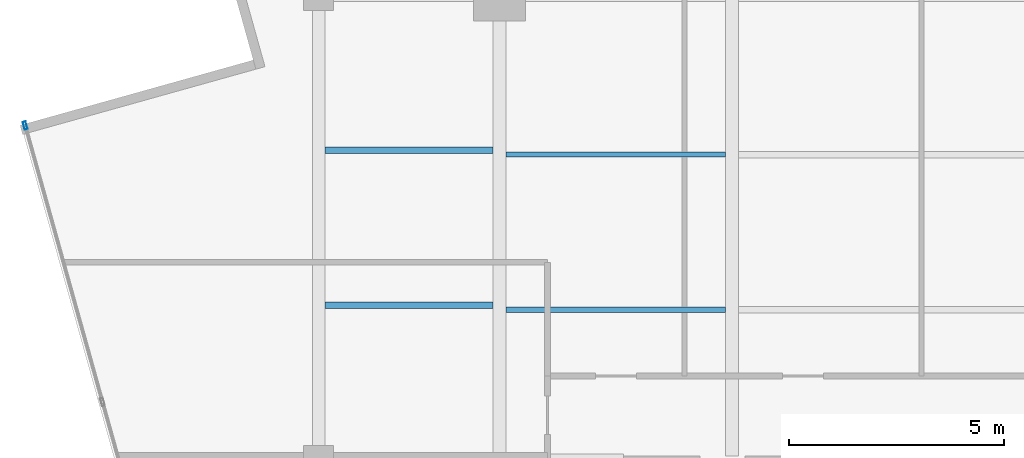
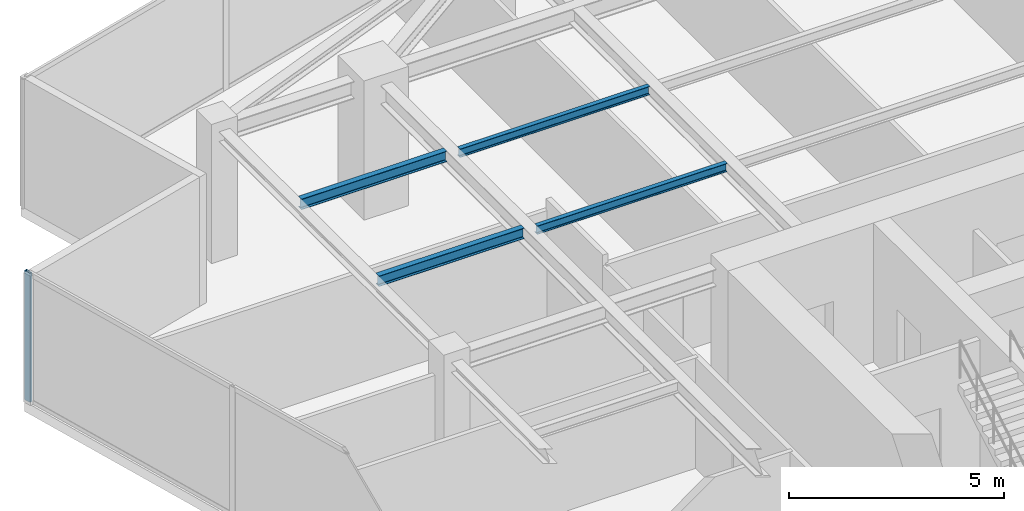
# One storey, part 7 of 21: 4 beams, 1 member, 1 element without a shape of its own.
"""IFC4 building model written with IfcOpenShell, lengths in metres."""

from ifc_helpers import new_model, si_unit, direction, frame, origin, origin_2d, place, context, subcontext, project, spatial, hollow_rectangle, i_section, extrude, source, transform, mapped, material, material_profile, profile_set, type_object, type_shapes, element, aggregate, save


model = new_model("IFC4")

# Units and contexts
model_context = context("Model", 3, precision=1e-05, world=origin(), true_north=direction((0.0, 1.0)))
body_context = subcontext(model_context, "Body", "Model", "MODEL_VIEW")
ifc_project = project(units=[si_unit("LENGTHUNIT", "METRE"), si_unit("AREAUNIT", "SQUARE_METRE"), si_unit("VOLUMEUNIT", "CUBIC_METRE"), si_unit("PLANEANGLEUNIT", "RADIAN"), si_unit("MASSUNIT", "GRAM", prefix="KILO")], contexts=[model_context])

# Site, building, storey
site_placement = place(None, origin())
site = spatial("IfcSite", under=ifc_project, at=site_placement, CompositionType="ELEMENT")
building_placement = place(site_placement, origin())
building = spatial("IfcBuilding", under=site, at=building_placement, Name="Krantzveldt Concourse Tower", CompositionType="ELEMENT")
storey_placement = place(building_placement, frame((0.0, 0.0, 347.449951171875)))
storey = spatial("IfcBuildingStorey", under=building, at=storey_placement, Name="L85", CompositionType="ELEMENT", Elevation=347.449951171875)

# Beams
ifc_material_1 = material(Name="Steel S355JR", Category="steel")
ifc_material_profile_1 = material_profile(ifc_material_1, i_section(OverallWidth=0.1201171875, OverallDepth=0.239990234375, WebThickness=0.006103515625, FlangeThickness=0.009765625, FilletRadius=0.014892578125, at=origin_2d()), Name="Steel S355JR", Category="steel")
ifc_profile_set_1 = profile_set([ifc_material_profile_1], Name="Steel S355JR - IPE 240")
beam_type_1 = type_object("IfcBeamType", Name="BM-LN-IPE240", PredefinedType="LINTEL", material=ifc_profile_set_1)
shared_shape_1 = source(origin(), body_context, "Body", "SweptSolid", [
    extrude(i_section(OverallWidth=0.1201171875, OverallDepth=0.239990234375, WebThickness=0.006103515625, FlangeThickness=0.009765625, FilletRadius=0.014892578125, at=origin_2d()), origin(), (0.0, 0.0, 1.0), 5.099853515625),
])
type_shapes(beam_type_1, [shared_shape_1])
for number, where, z_axis, x_axis, name in (
    (1, (25.35009765625, 30.199951171875, 3.550048828125), (1.0, 0.0, 0.0), (0.0, 1.0, 0.0), "L85 Secondary Floor Joist JN-W1"),
    (2, (25.35009765625, 33.800048828125, 3.550048828125), (1.0, 0.0, 0.0), (0.0, 1.0, 0.0), "L85 Secondary Floor Joist JN-W2"),
):
    element("IfcBeam", number, at=place(storey_placement, frame(where, z_axis=z_axis, x_axis=x_axis)), inside=storey, type_object=beam_type_1, Name=name, PredefinedType="LINTEL", context=body_context, shape_type="MappedRepresentation", body=[
        mapped(shared_shape_1, transform((0.0, 0.0, 0.0), x_axis=(1.0, 0.0, 0.0), y_axis=(0.0, 1.0, 0.0), z_axis=(0.0, 0.0, 1.0), scale=1.0)),
    ])
ifc_material_profile_2 = material_profile(ifc_material_1, i_section(OverallWidth=0.14990234375, OverallDepth=0.300048828125, WebThickness=0.007080078125, FlangeThickness=0.0107421875, FilletRadius=0.014892578125, at=origin_2d()), Name="Steel S355JR", Category="steel")
ifc_profile_set_2 = profile_set([ifc_material_profile_2], Name="Steel S355JR - IPE 300")
beam_type_2 = type_object("IfcBeamType", Name="BM-J-IPE300", PredefinedType="JOIST", material=ifc_profile_set_2)
shared_shape_2 = source(origin(), body_context, "Body", "SweptSolid", [
    extrude(i_section(OverallWidth=0.14990234375, OverallDepth=0.300048828125, WebThickness=0.007080078125, FlangeThickness=0.0107421875, FilletRadius=0.014892578125, at=origin_2d()), origin(), (0.0, 0.0, 1.0), 3.900146484375),
])
type_shapes(beam_type_2, [shared_shape_2])
for number, where, z_axis, x_axis, name in (
    (3, (21.14990234375, 30.300048828125, 3.52001953125), (1.0, 0.0, 0.0), (0.0, 1.0, 0.0), "L85 Secondary Floor Joist JW-3"),
    (4, (21.14990234375, 33.89990234375, 3.52001953125), (1.0, 0.0, 0.0), (0.0, 1.0, 0.0), "L85 Secondary Floor Joist JW-4"),
):
    element("IfcBeam", number, at=place(storey_placement, frame(where, z_axis=z_axis, x_axis=x_axis)), inside=storey, type_object=beam_type_2, Name=name, PredefinedType="JOIST", context=body_context, shape_type="MappedRepresentation", body=[
        mapped(shared_shape_2, transform((0.0, 0.0, 0.0), x_axis=(1.0, 0.0, 0.0), y_axis=(0.0, 1.0, 0.0), z_axis=(0.0, 0.0, 1.0), scale=1.0)),
    ])

# Curtain wall, member
ifc_material_2 = material(Name="Anodised aluminium 6063-T6", Category="aluminium")
curtain_wall_type = type_object("IfcCurtainWallType", Name="CW4", PredefinedType="USERDEFINED", material=ifc_material_2)
curtain_wall_placement = place(storey_placement, origin())
curtain_wall = element("IfcCurtainWall", 5, at=curtain_wall_placement, inside=storey, type_object=curtain_wall_type, Name="CW-L85-F04", ObjectType="UNITISED CURTAIN WALL", PredefinedType="USERDEFINED")
ifc_material_profile_3 = material_profile(ifc_material_2, hollow_rectangle(XDim=0.070068359375, YDim=0.179931640625, WallThickness=0.0048828125, at=origin_2d()), Name="Anodised aluminium 6063-T6", Category="aluminium")
ifc_profile_set_3 = profile_set([ifc_material_profile_3], Name="Anodised aluminium 6063-T6 - ALU-MULL 180x70x5")
member_type = type_object("IfcMemberType", Name="CW-MUL-180", PredefinedType="MULLION", material=ifc_profile_set_3)
shared_shape_3 = source(origin(), body_context, "Body", "SweptSolid", [
    extrude(hollow_rectangle(XDim=0.070068359375, YDim=0.179931640625, WallThickness=0.0048828125, at=origin_2d()), origin(), (0.0, 0.0, 1.0), 3.670166015625),
])
type_shapes(member_type, [shared_shape_3])
member_placement = place(storey_placement, frame((14.18896484375, 34.477783203125, 0.0), z_axis=(0.0, 0.0, 1.0), x_axis=(0.963045170968, 0.269339931454, 0.0)))
member = element("IfcMember", 6, at=member_placement, type_object=member_type, Name="CW-Z56 mullion 1", PredefinedType="MULLION", context=body_context, shape_type="MappedRepresentation", body=[
    mapped(shared_shape_3, transform((0.0, 0.0, 0.0), x_axis=(1.0, 0.0, 0.0), y_axis=(0.0, 1.0, 0.0), z_axis=(0.0, 0.0, 1.0), scale=1.0)),
])
aggregate(curtain_wall, [member])

save(model, "model.ifc")
